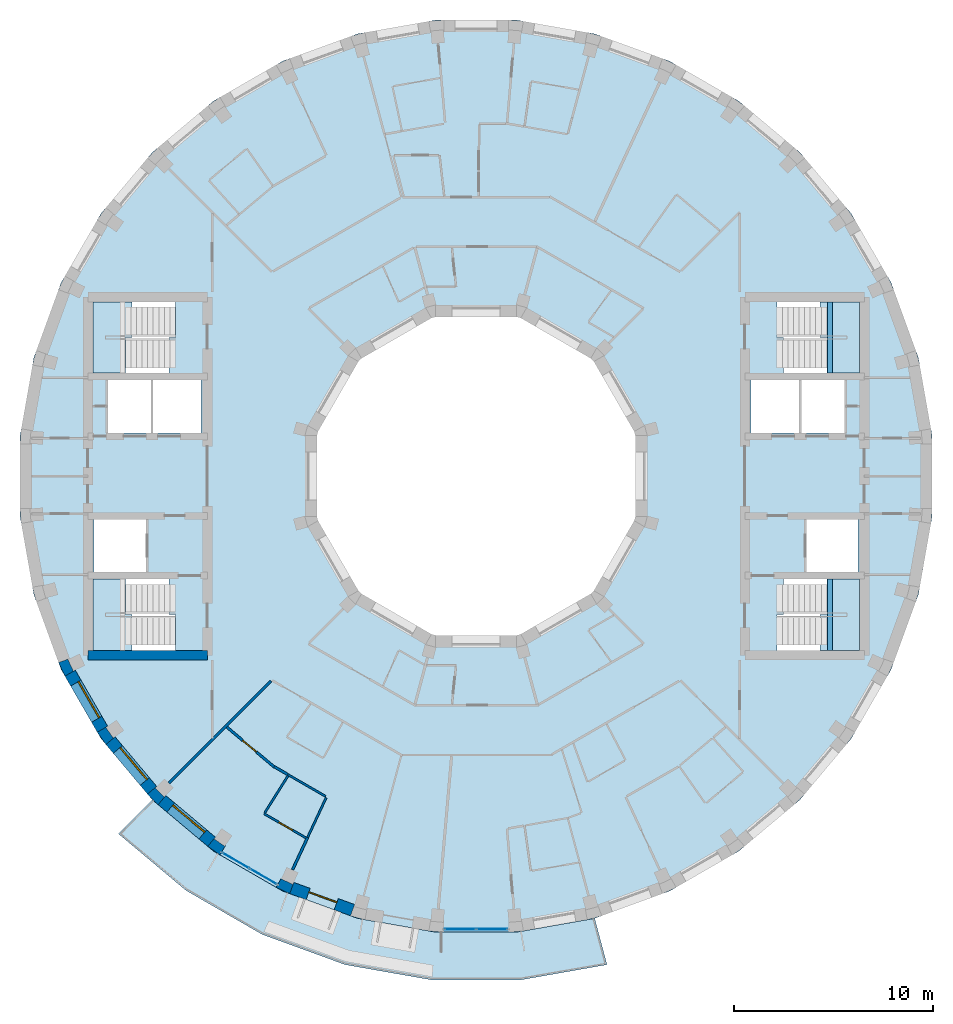
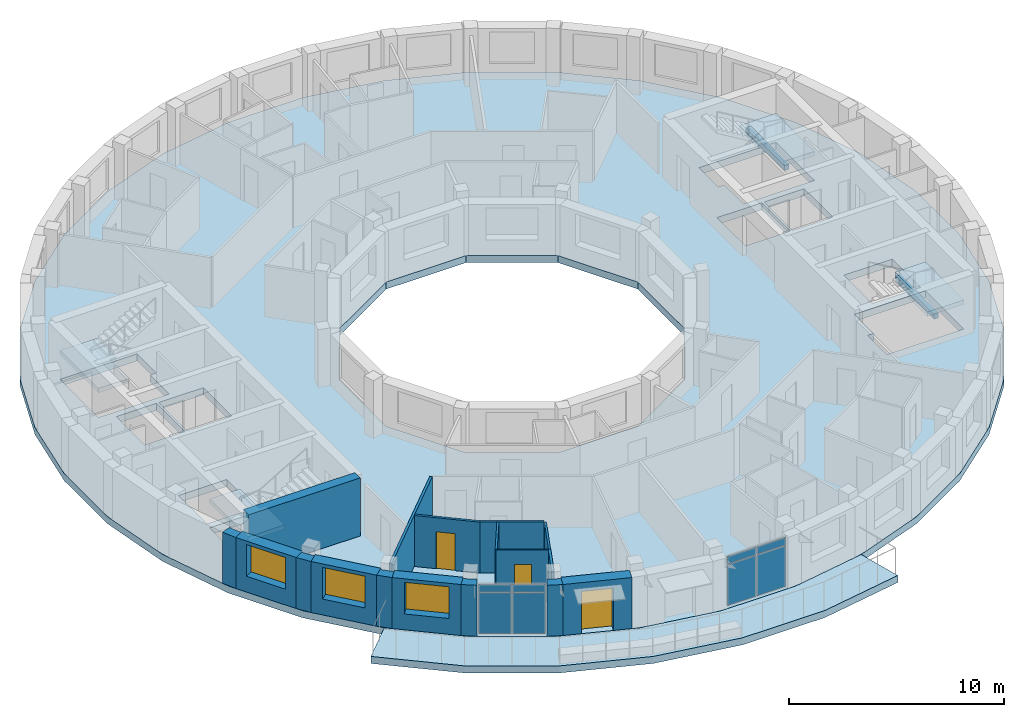
# One storey, part 3 of 12: 18 walls, 8 plates, 6 slabs, 3 doors, 3 windows, 2 beams, 6 openings, 6 elements without a shape of their own.
"""IFC4 building model written with IfcOpenShell, lengths in metres."""

from ifc_helpers import new_model, si_unit, direction, frame, frame_2d, origin, origin_2d, place, context, subcontext, project, spatial, polyline, rectangle, outline, extrude, material, layer, layer_set, material_profile, profile_set, type_object, element, fill, aggregate, save


model = new_model("IFC4")

# Units and contexts
model_context = context("Model", 3, precision=1e-05, world=origin(), true_north=direction((0.0, 1.0)))
body_context = subcontext(model_context, "Body", "Model", "MODEL_VIEW")
ifc_project = project(units=[si_unit("LENGTHUNIT", "METRE"), si_unit("AREAUNIT", "SQUARE_METRE"), si_unit("VOLUMEUNIT", "CUBIC_METRE"), si_unit("PLANEANGLEUNIT", "RADIAN"), si_unit("MASSUNIT", "GRAM", prefix="KILO")], contexts=[model_context])

# Site, building, storey
site_placement = place(None, origin())
site = spatial("IfcSite", under=ifc_project, at=site_placement, CompositionType="ELEMENT")
building_placement = place(site_placement, origin())
building = spatial("IfcBuilding", under=site, at=building_placement, Name="Saqina Gate Tower", CompositionType="ELEMENT")
storey_placement = place(building_placement, frame((0.0, 0.0, 272.60009765625)))
storey = spatial("IfcBuildingStorey", under=building, at=storey_placement, Name="L78", CompositionType="ELEMENT", Elevation=272.60009765625)

# Beams
ifc_material_1 = material(Name="Concrete C40/50", Category="concrete")
ifc_material_profile = material_profile(ifc_material_1, rectangle(XDim=0.25, YDim=0.300048828125, at=origin_2d()), Name="STAIR LANDING BEAM")
ifc_profile_set = profile_set([ifc_material_profile], Name="Concrete C40/50")
beam_type = type_object("IfcBeamType", Name="STAIR LANDING BEAM", PredefinedType="BEAM", material=ifc_profile_set)
for number, where, z_axis, x_axis, name in (
    (1, (17.77001953125, 5.175048828125, 1.25), (0.0, 1.0, 0.0), (-1.0, 0.0, 0.0), "EXIT STAIR 1 LANDING BEAM"),
    (2, (17.77001953125, -8.75, 1.25), (0.0, 1.0, 0.0), (-1.0, 0.0, 0.0), "EXIT STAIR 2 LANDING BEAM"),
):
    element("IfcBeam", number, at=place(storey_placement, frame(where, z_axis=z_axis, x_axis=x_axis)), inside=storey, type_object=beam_type, Name=name, PredefinedType="BEAM", context=body_context, shape_type="SweptSolid", body=[
        extrude(rectangle(XDim=0.25, YDim=0.300048828125, at=origin_2d()), origin(), (0.0, 0.0, 1.0), 3.574951171875),
    ])

# Curtain wall, plates
ifc_material_2 = material(Name="Aluminium glazing", Category="aluminium")
ifc_layer_1 = layer(ifc_material_2, 0.159912109375)
ifc_layer_set_1 = layer_set([ifc_layer_1], Name="CWT-4")
curtain_wall_type = type_object("IfcCurtainWallType", Name="CWT-4", PredefinedType="NOTDEFINED", material=ifc_layer_set_1)
curtain_wall_1_placement = place(storey_placement, origin())
curtain_wall_1 = element("IfcCurtainWall", 3, at=curtain_wall_1_placement, inside=storey, type_object=curtain_wall_type, Name="Terrace lounge glazing facet 24", PredefinedType="NOTDEFINED")
ifc_material_3 = material(Name="Glass", Category="glass")
ifc_layer_2 = layer(ifc_material_3, 0.028076171875)
ifc_layer_set_2 = layer_set([ifc_layer_2], Name="CWT-4P")
plate_type = type_object("IfcPlateType", Name="CWT-4P", PredefinedType="CURTAIN_PANEL", material=ifc_layer_set_2)
plate_1_placement = place(storey_placement, frame((-12.072265625, -19.31396484375, 0.059814453125), z_axis=(0.0, 0.0, 1.0), x_axis=(0.8660355365, -0.499982449212, 0.0)))
plate_1 = element("IfcPlate", 4, at=plate_1_placement, type_object=plate_type, Name="CW4-24 panel 1.1", PredefinedType="CURTAIN_PANEL", context=body_context, shape_type="SweptSolid", body=[
    extrude(rectangle(XDim=1.535888671875, YDim=0.028076171875, at=origin_2d()), origin(), (0.0, 0.0, 1.0), 2.31005859375),
])
plate_2_placement = place(storey_placement, frame((-12.072265625, -19.31396484375, 2.43017578125), z_axis=(0.0, 0.0, 1.0), x_axis=(0.8660355365, -0.499982449212, 0.0)))
plate_2 = element("IfcPlate", 5, at=plate_2_placement, type_object=plate_type, Name="CW4-24 panel 1.2", PredefinedType="CURTAIN_PANEL", context=body_context, shape_type="SweptSolid", body=[
    extrude(rectangle(XDim=1.535888671875, YDim=0.028076171875, at=origin_2d()), origin(), (0.0, 0.0, 1.0), 0.409912109375),
])
plate_3_placement = place(storey_placement, frame((-10.690185546875, -20.11181640625, 0.059814453125), z_axis=(0.0, 0.0, 1.0), x_axis=(0.8660355365, -0.499982449212, 0.0)))
plate_3 = element("IfcPlate", 6, at=plate_3_placement, type_object=plate_type, Name="CW4-24 panel 2.1", PredefinedType="CURTAIN_PANEL", context=body_context, shape_type="SweptSolid", body=[
    extrude(rectangle(XDim=1.535888671875, YDim=0.028076171875, at=origin_2d()), origin(), (0.0, 0.0, 1.0), 2.31005859375),
])
plate_4_placement = place(storey_placement, frame((-10.690185546875, -20.11181640625, 2.43017578125), z_axis=(0.0, 0.0, 1.0), x_axis=(0.8660355365, -0.499982449212, 0.0)))
plate_4 = element("IfcPlate", 7, at=plate_4_placement, type_object=plate_type, Name="CW4-24 panel 2.2", PredefinedType="CURTAIN_PANEL", context=body_context, shape_type="SweptSolid", body=[
    extrude(rectangle(XDim=1.535888671875, YDim=0.028076171875, at=origin_2d()), origin(), (0.0, 0.0, 1.0), 0.409912109375),
])
aggregate(curtain_wall_1, [plate_1, plate_2, plate_3, plate_4])

curtain_wall_2_placement = place(storey_placement, origin())
curtain_wall_2 = element("IfcCurtainWall", 8, at=curtain_wall_2_placement, inside=storey, type_object=curtain_wall_type, Name="Terrace lounge glazing facet 27", PredefinedType="NOTDEFINED")
plate_5_placement = place(storey_placement, frame((-0.7978515625, -22.762451171875, 0.059814453125), z_axis=(0.0, 0.0, 1.0), x_axis=(1.0, 0.0, 0.0)))
plate_5 = element("IfcPlate", 9, at=plate_5_placement, type_object=plate_type, Name="CW4-27 panel 1.1", PredefinedType="CURTAIN_PANEL", context=body_context, shape_type="SweptSolid", body=[
    extrude(rectangle(XDim=1.535888671875, YDim=0.028076171875, at=origin_2d()), origin(), (0.0, 0.0, 1.0), 2.31005859375),
])
plate_6_placement = place(storey_placement, frame((-0.7978515625, -22.762451171875, 2.43017578125), z_axis=(0.0, 0.0, 1.0), x_axis=(1.0, 0.0, 0.0)))
plate_6 = element("IfcPlate", 10, at=plate_6_placement, type_object=plate_type, Name="CW4-27 panel 1.2", PredefinedType="CURTAIN_PANEL", context=body_context, shape_type="SweptSolid", body=[
    extrude(rectangle(XDim=1.535888671875, YDim=0.028076171875, at=origin_2d()), origin(), (0.0, 0.0, 1.0), 0.409912109375),
])
plate_7_placement = place(storey_placement, frame((0.7978515625, -22.762451171875, 0.059814453125), z_axis=(0.0, 0.0, 1.0), x_axis=(1.0, 0.0, 0.0)))
plate_7 = element("IfcPlate", 11, at=plate_7_placement, type_object=plate_type, Name="CW4-27 panel 2.1", PredefinedType="CURTAIN_PANEL", context=body_context, shape_type="SweptSolid", body=[
    extrude(rectangle(XDim=1.535888671875, YDim=0.028076171875, at=origin_2d()), origin(), (0.0, 0.0, 1.0), 2.31005859375),
])
plate_8_placement = place(storey_placement, frame((0.7978515625, -22.762451171875, 2.43017578125), z_axis=(0.0, 0.0, 1.0), x_axis=(1.0, 0.0, 0.0)))
plate_8 = element("IfcPlate", 12, at=plate_8_placement, type_object=plate_type, Name="CW4-27 panel 2.2", PredefinedType="CURTAIN_PANEL", context=body_context, shape_type="SweptSolid", body=[
    extrude(rectangle(XDim=1.535888671875, YDim=0.028076171875, at=origin_2d()), origin(), (0.0, 0.0, 1.0), 0.409912109375),
])
aggregate(curtain_wall_2, [plate_5, plate_6, plate_7, plate_8])

# Stair, slab
ifc_material_4 = material(Name="Concrete C40/50", Category="concrete")
stair_type = type_object("IfcStairType", Name="EXIT STAIR", PredefinedType="HALF_TURN_STAIR", material=ifc_material_4)
stair_1_placement = place(storey_placement, origin())
stair_1 = element("IfcStair", 13, at=stair_1_placement, inside=storey, type_object=stair_type, Name="EXIT STAIR 1", PredefinedType="HALF_TURN_STAIR")
ifc_material_5 = material(Name="Concrete C40/50", Category="concrete")
ifc_layer_3 = layer(ifc_material_5, 0.25)
ifc_layer_set_3 = layer_set([ifc_layer_3], Name="Concrete C40/50")
slab_type_1 = type_object("IfcSlabType", Name="EXIT STAIR LANDING", PredefinedType="LANDING", material=ifc_layer_set_3)
slab_1_placement = place(storey_placement, frame((0.0, 0.0, 1.39990234375)))
slab_1 = element("IfcSlab", 14, at=slab_1_placement, type_object=slab_type_1, Name="EXIT STAIR 1 LANDING 1", PredefinedType="LANDING", context=body_context, shape_type="SweptSolid", body=[
    extrude(outline(polyline([(19.25, 8.75), (19.25, 5.175048828125), (17.614990234375, 5.175048828125), (17.614990234375, 6.96240234375), (17.284423828125, 6.96240234375), (17.284423828125, 8.75), (17.614990234375, 8.75), (17.6201171875, 8.75), (19.25, 8.75)])), origin(), (0.0, 0.0, 1.0), 0.25),
])
aggregate(stair_1, [slab_1])

stair_2_placement = place(storey_placement, origin())
stair_2 = element("IfcStair", 15, at=stair_2_placement, inside=storey, type_object=stair_type, Name="EXIT STAIR 2", PredefinedType="HALF_TURN_STAIR")
slab_2_placement = place(storey_placement, frame((0.0, 0.0, 1.39990234375)))
slab_2 = element("IfcSlab", 16, at=slab_2_placement, type_object=slab_type_1, Name="EXIT STAIR 2 LANDING 1", PredefinedType="LANDING", context=body_context, shape_type="SweptSolid", body=[
    extrude(outline(polyline([(17.284423828125, -8.75), (17.284423828125, -6.96240234375), (17.614990234375, -6.96240234375), (17.614990234375, -5.175048828125), (19.25, -5.175048828125), (19.25, -8.75), (17.6201171875, -8.75), (17.614990234375, -8.75), (17.284423828125, -8.75)])), origin(), (0.0, 0.0, 1.0), 0.25),
])
aggregate(stair_2, [slab_2])

stair_3_placement = place(storey_placement, origin())
stair_3 = element("IfcStair", 17, at=stair_3_placement, inside=storey, type_object=stair_type, Name="EXIT STAIR 3", PredefinedType="HALF_TURN_STAIR")
slab_3_placement = place(storey_placement, frame((0.0, 0.0, 1.39990234375)))
slab_3 = element("IfcSlab", 18, at=slab_3_placement, type_object=slab_type_1, Name="EXIT STAIR 3 LANDING 1", PredefinedType="LANDING", context=body_context, shape_type="SweptSolid", body=[
    extrude(outline(polyline([(-17.614990234375, 5.175048828125), (-19.25, 5.175048828125), (-19.25, 8.75), (-17.6201171875, 8.75), (-17.614990234375, 8.75), (-17.284423828125, 8.75), (-17.284423828125, 6.96240234375), (-17.614990234375, 6.96240234375), (-17.614990234375, 5.175048828125)])), origin(), (0.0, 0.0, 1.0), 0.25),
])
aggregate(stair_3, [slab_3])

stair_4_placement = place(storey_placement, origin())
stair_4 = element("IfcStair", 19, at=stair_4_placement, inside=storey, type_object=stair_type, Name="EXIT STAIR 4", PredefinedType="HALF_TURN_STAIR")
slab_4_placement = place(storey_placement, frame((0.0, 0.0, 1.39990234375)))
slab_4 = element("IfcSlab", 20, at=slab_4_placement, type_object=slab_type_1, Name="EXIT STAIR 4 LANDING 1", PredefinedType="LANDING", context=body_context, shape_type="SweptSolid", body=[
    extrude(outline(polyline([(-17.284423828125, -6.96240234375), (-17.284423828125, -8.75), (-17.614990234375, -8.75), (-17.6201171875, -8.75), (-19.25, -8.75), (-19.25, -5.175048828125), (-17.614990234375, -5.175048828125), (-17.614990234375, -6.96240234375), (-17.284423828125, -6.96240234375)])), origin(), (0.0, 0.0, 1.0), 0.25),
])
aggregate(stair_4, [slab_4])

# Slabs
ifc_material_6 = material(Name="Concrete C40/50", Category="concrete")
ifc_layer_4 = layer(ifc_material_6, 0.39990234375)
ifc_layer_set_4 = layer_set([ifc_layer_4], Name="Concrete C40/50")
slab_type_2 = type_object("IfcSlabType", Name="STR-POST-TENSIONED FLAT PLATE FLOOR-400", PredefinedType="FLOOR", material=ifc_layer_set_4)
slab_5_placement = place(storey_placement, frame((0.0, 0.0, -0.400146484375)))
element("IfcSlab", 21, at=slab_5_placement, inside=storey, type_object=slab_type_2, Name="L78-SLB01", PredefinedType="FLOOR", context=body_context, shape_type="SweptSolid", body=[
    extrude(outline(polyline([(22.21630859375, -5.952880859375), (22.91259765625, -2.004638671875), (22.91259765625, 2.004638671875), (22.21630859375, 5.952880859375), (20.844970703125, 9.72021484375), (18.840576171875, 13.192138671875), (16.263427734375, 16.263427734375), (13.192138671875, 18.840576171875), (9.72021484375, 20.844970703125), (5.952880859375, 22.21630859375), (2.004638671875, 22.91259765625), (-2.004638671875, 22.91259765625), (-5.952880859375, 22.21630859375), (-9.72021484375, 20.844970703125), (-13.192138671875, 18.840576171875), (-16.263427734375, 16.263427734375), (-18.840576171875, 13.192138671875), (-20.844970703125, 9.72021484375), (-22.21630859375, 5.952880859375), (-22.91259765625, 2.004638671875), (-22.91259765625, -2.004638671875), (-22.21630859375, -5.952880859375), (-20.844970703125, -9.72021484375), (-18.840576171875, -13.192138671875), (-16.263427734375, -16.263427734375), (-13.192138671875, -18.840576171875), (-9.72021484375, -20.844970703125), (-5.952880859375, -22.21630859375), (-2.004638671875, -22.91259765625), (2.004638671875, -22.91259765625), (5.952880859375, -22.21630859375), (9.72021484375, -20.844970703125), (13.192138671875, -18.840576171875), (16.263427734375, -16.263427734375), (18.840576171875, -13.192138671875), (20.844970703125, -9.72021484375), (22.21630859375, -5.952880859375)]), holes=[polyline([(2.1435546875, 8.0), (5.8564453125, 5.8564453125), (8.0, 2.1435546875), (8.0, -2.1435546875), (5.8564453125, -5.8564453125), (2.1435546875, -8.0), (-2.1435546875, -8.0), (-5.8564453125, -5.8564453125), (-8.0, -2.1435546875), (-8.0, 2.1435546875), (-5.8564453125, 5.8564453125), (-2.1435546875, 8.0), (2.1435546875, 8.0)]), polyline([(-15.10498046875, -8.75), (-19.25, -8.75), (-19.25, -6.96240234375), (-19.25, -5.175048828125), (-15.435546875, -5.175048828125), (-15.435546875, -6.96240234375), (-15.10498046875, -6.96240234375), (-15.10498046875, -8.75)]), polyline([(-16.590087890625, -2.175048828125), (-16.590087890625, -4.824951171875), (-19.18994140625, -4.824951171875), (-19.18994140625, -2.175048828125), (-16.590087890625, -2.175048828125)]), polyline([(-16.340087890625, 4.824951171875), (-16.340087890625, 2.175048828125), (-18.5, 2.175048828125), (-18.5, 4.824951171875), (-16.340087890625, 4.824951171875)]), polyline([(-13.81005859375, 4.824951171875), (-13.81005859375, 2.175048828125), (-16.219970703125, 2.175048828125), (-16.219970703125, 4.824951171875), (-13.81005859375, 4.824951171875)]), polyline([(-19.25, 6.96240234375), (-19.25, 8.75), (-15.10498046875, 8.75), (-15.10498046875, 6.96240234375), (-15.435546875, 6.96240234375), (-15.435546875, 5.175048828125), (-19.25, 5.175048828125), (-19.25, 6.96240234375)]), polyline([(15.10498046875, -8.75), (15.10498046875, -6.96240234375), (15.435546875, -6.96240234375), (15.435546875, -5.175048828125), (19.25, -5.175048828125), (19.25, -6.96240234375), (19.25, -8.75), (15.10498046875, -8.75)]), polyline([(19.18994140625, -2.175048828125), (19.18994140625, -4.824951171875), (16.590087890625, -4.824951171875), (16.590087890625, -2.175048828125), (19.18994140625, -2.175048828125)]), polyline([(16.219970703125, 4.824951171875), (16.219970703125, 2.175048828125), (13.81005859375, 2.175048828125), (13.81005859375, 4.824951171875), (16.219970703125, 4.824951171875)]), polyline([(18.5, 4.824951171875), (18.5, 2.175048828125), (16.340087890625, 2.175048828125), (16.340087890625, 4.824951171875), (18.5, 4.824951171875)]), polyline([(15.435546875, 6.96240234375), (15.10498046875, 6.96240234375), (15.10498046875, 8.75), (19.25, 8.75), (19.25, 6.96240234375), (19.25, 5.175048828125), (15.435546875, 5.175048828125), (15.435546875, 6.96240234375)])]), origin(), (0.0, 0.0, 1.0), 0.400146484375),
])
ifc_material_7 = material(Name="Concrete C40/50", Category="concrete")
ifc_layer_5 = layer(ifc_material_7, 0.39990234375)
ifc_layer_set_5 = layer_set([ifc_layer_5], Name="Concrete C40/50")
slab_type_3 = type_object("IfcSlabType", Name="STR-POST-TENSIONED FLAT PLATE TERRACE-400", PredefinedType="FLOOR", material=ifc_layer_set_5)
slab_6_placement = place(storey_placement, frame((0.0, 0.0, -0.400146484375)))
element("IfcSlab", 22, at=slab_6_placement, inside=storey, type_object=slab_type_3, Name="L78-TRS01", PredefinedType="FLOOR", context=body_context, shape_type="SweptSolid", body=[
    extrude(outline(polyline([(-16.263427734375, -16.263427734375), (-13.192138671875, -18.840576171875), (-9.72021484375, -20.844970703125), (-5.952880859375, -22.21630859375), (-2.004638671875, -22.91259765625), (2.004638671875, -22.91259765625), (5.952880859375, -22.21630859375), (6.576416015625, -24.54345703125), (2.214599609375, -25.3125), (-2.214599609375, -25.3125), (-6.576416015625, -24.54345703125), (-10.73828125, -23.028564453125), (-14.57421875, -20.81396484375), (-17.967041015625, -17.967041015625), (-16.263427734375, -16.263427734375)])), origin(), (0.0, 0.0, 1.0), 0.400146484375),
])

# Walls
ifc_material_8 = material(Name="Brick masonry (buff)", Category="masonry")
wall_type_1 = type_object("IfcWallType", Name="BRICK PIER COPING BUFF", PredefinedType="SOLIDWALL", material=ifc_material_8)
wall_1_placement = place(storey_placement, origin())
element("IfcWall", 23, at=wall_1_placement, inside=storey, type_object=wall_type_1, Name="Pier cap L78 column 21", PredefinedType="SOLIDWALL", context=body_context, shape_type="SweptSolid", body=[
    extrude(outline(polyline([(-20.974609375, -9.3642578125), (-20.65576171875, -10.048095703125), (-20.135986328125, -9.748291015625), (-20.23193359375, -9.79296875), (-20.506591796875, -9.203857421875), (-20.410888671875, -9.1591796875), (-20.974609375, -9.3642578125)])), origin(), (0.0, 0.0, 1.0), 2.89990234375),
])
wall_2_placement = place(storey_placement, origin())
element("IfcWall", 24, at=wall_2_placement, inside=storey, type_object=wall_type_1, Name="Pier cap L78 column 22", PredefinedType="SOLIDWALL", context=body_context, shape_type="SweptSolid", body=[
    extrude(outline(polyline([(-19.02978515625, -12.8642578125), (-18.59716796875, -13.482421875), (-18.137451171875, -13.0966796875), (-18.22412109375, -13.157470703125), (-18.596923828125, -12.625), (-18.51025390625, -12.564208984375), (-19.02978515625, -12.8642578125)])), origin(), (0.0, 0.0, 1.0), 2.89990234375),
])
wall_3_placement = place(storey_placement, origin())
element("IfcWall", 25, at=wall_3_placement, inside=storey, type_object=wall_type_1, Name="Pier cap L78 column 23", PredefinedType="SOLIDWALL", context=body_context, shape_type="SweptSolid", body=[
    extrude(outline(polyline([(-15.973388671875, -16.5068359375), (-15.587646484375, -16.04736328125), (-15.662353515625, -16.1220703125), (-16.1220703125, -15.662353515625), (-16.04736328125, -15.587646484375), (-16.5068359375, -15.973388671875), (-15.973388671875, -16.5068359375)])), origin(), (0.0, 0.0, 1.0), 2.89990234375),
])
wall_4_placement = place(storey_placement, origin())
element("IfcWall", 26, at=wall_4_placement, inside=storey, type_object=wall_type_1, Name="Pier cap L78 column 24", PredefinedType="SOLIDWALL", context=body_context, shape_type="SweptSolid", body=[
    extrude(outline(polyline([(-12.8642578125, -19.02978515625), (-12.564208984375, -18.51025390625), (-12.625, -18.596923828125), (-13.157470703125, -18.22412109375), (-13.0966796875, -18.137451171875), (-13.482421875, -18.59716796875), (-12.8642578125, -19.02978515625)])), origin(), (0.0, 0.0, 1.0), 2.89990234375),
])
wall_5_placement = place(storey_placement, origin())
element("IfcWall", 27, at=wall_5_placement, inside=storey, type_object=wall_type_1, Name="Pier cap L78 column 25", PredefinedType="SOLIDWALL", context=body_context, shape_type="SweptSolid", body=[
    extrude(outline(polyline([(-10.048095703125, -20.65576171875), (-9.3642578125, -20.974609375), (-9.1591796875, -20.410888671875), (-9.203857421875, -20.506591796875), (-9.79296875, -20.23193359375), (-9.748291015625, -20.135986328125), (-10.048095703125, -20.65576171875)])), origin(), (0.0, 0.0, 1.0), 2.89990234375),
])

# Wall, opening, window
ifc_material_9 = material(Name="Brick masonry (buff)", Category="masonry")
ifc_layer_6 = layer(ifc_material_9, 0.60009765625)
ifc_layer_set_6 = layer_set([ifc_layer_6], Name="FW-BRICK-BUFF")
wall_type_2 = type_object("IfcWallType", Name="FW-BRICK-BUFF", PredefinedType="SOLIDWALL", material=ifc_layer_set_6)
wall_6_placement = place(storey_placement, frame((-20.39599609375, -9.898193359375, 0.0), z_axis=(0.0, 0.0, 1.0), x_axis=(0.500014901547, -0.866016800201, 0.0)))
wall_6 = element("IfcWall", 28, at=wall_6_placement, inside=storey, type_object=wall_type_2, Name="Facade wall L78 facet 21", PredefinedType="SOLIDWALL", context=body_context, shape_type="SweptSolid", body=[
    extrude(rectangle(XDim=3.251953125, YDim=0.60009765625, at=frame_2d((1.6259765625, 0.0))), origin(), (0.0, 0.0, 1.0), 2.89990234375),
])
opening_1_placement = place(wall_6_placement, frame((0.57568359375, 0.0, 0.89990234375)))
opening_1 = element("IfcOpeningElement", 29, at=opening_1_placement, cuts=wall_6, Name="Opening G23-W14", PredefinedType="OPENING", context=body_context, shape_type="SweptSolid", body=[
    extrude(rectangle(XDim=2.10009765625, YDim=1.800048828125, at=frame_2d((1.050048828125, 0.89990234375))), frame((0.0, 0.31201171875, 0.0), z_axis=(0.0, -1.0, 0.0), x_axis=(1.0, 0.0, 0.0)), (0.0, 0.0, 1.0), 0.6240234375),
])
ifc_material_10 = material(Name="Aluminium glazing", Category="aluminium")
window_type = type_object("IfcWindowType", Name="WN-D", PartitioningType="SINGLE_PANEL", PredefinedType="WINDOW", material=ifc_material_10)
window_1_placement = place(opening_1_placement, origin())
window_1 = element("IfcWindow", 30, at=window_1_placement, inside=storey, type_object=window_type, Name="Window L78 facet 21", OverallHeight=1.800048828125, OverallWidth=2.10009765625, PartitioningType="SINGLE_PANEL", PredefinedType="WINDOW", context=body_context, shape_type="SweptSolid", body=[
    extrude(rectangle(XDim=2.10009765625, YDim=1.800048828125, at=frame_2d((1.050048828125, 0.89990234375))), frame((0.0, 0.179931640625, 0.0), z_axis=(0.0, -1.0, 0.0), x_axis=(1.0, 0.0, 0.0)), (0.0, 0.0, 1.0), 0.06005859375),
])
fill(opening_1, window_1)

wall_7_placement = place(storey_placement, frame((-18.3671875, -13.28955078125, 0.0), z_axis=(0.0, 0.0, 1.0), x_axis=(0.64277291405, -0.766056773982, 0.0)))
wall_7 = element("IfcWall", 31, at=wall_7_placement, inside=storey, type_object=wall_type_2, Name="Facade wall L78 facet 22", PredefinedType="SOLIDWALL", context=body_context, shape_type="SweptSolid", body=[
    extrude(rectangle(XDim=3.251708984375, YDim=0.60009765625, at=frame_2d((1.6259765625, 0.0))), origin(), (0.0, 0.0, 1.0), 2.89990234375),
])
opening_2_placement = place(wall_7_placement, frame((0.57568359375, 0.0, 0.89990234375)))
opening_2 = element("IfcOpeningElement", 32, at=opening_2_placement, cuts=wall_7, Name="Opening G23-W15", PredefinedType="OPENING", context=body_context, shape_type="SweptSolid", body=[
    extrude(rectangle(XDim=2.10009765625, YDim=1.800048828125, at=frame_2d((1.050048828125, 0.89990234375))), frame((0.0, 0.31201171875, 0.0), z_axis=(0.0, -1.0, 0.0), x_axis=(1.0, 0.0, 0.0)), (0.0, 0.0, 1.0), 0.6240234375),
])
window_2_placement = place(opening_2_placement, origin())
window_2 = element("IfcWindow", 33, at=window_2_placement, inside=storey, type_object=window_type, Name="Window L78 facet 22", OverallHeight=1.800048828125, OverallWidth=2.10009765625, PartitioningType="SINGLE_PANEL", PredefinedType="WINDOW", context=body_context, shape_type="SweptSolid", body=[
    extrude(rectangle(XDim=2.10009765625, YDim=1.800048828125, at=frame_2d((1.050048828125, 0.89990234375))), frame((0.0, 0.179931640625, 0.0), z_axis=(0.0, -1.0, 0.0), x_axis=(1.0, 0.0, 0.0)), (0.0, 0.0, 1.0), 0.06005859375),
])
fill(opening_2, window_2)

wall_8_placement = place(storey_placement, frame((-15.780517578125, -16.277099609375, 0.0), z_axis=(0.0, 0.0, 1.0), x_axis=(0.766056773982, -0.64277291405, 0.0)))
wall_8 = element("IfcWall", 34, at=wall_8_placement, inside=storey, type_object=wall_type_2, Name="Facade wall L78 facet 23", PredefinedType="SOLIDWALL", context=body_context, shape_type="SweptSolid", body=[
    extrude(rectangle(XDim=3.251708984375, YDim=0.60009765625, at=frame_2d((1.6259765625, 0.0))), origin(), (0.0, 0.0, 1.0), 2.89990234375),
])
opening_3_placement = place(wall_8_placement, frame((0.57568359375, 0.0, 0.89990234375)))
opening_3 = element("IfcOpeningElement", 35, at=opening_3_placement, cuts=wall_8, Name="Opening G23-W16", PredefinedType="OPENING", context=body_context, shape_type="SweptSolid", body=[
    extrude(rectangle(XDim=2.10009765625, YDim=1.800048828125, at=frame_2d((1.050048828125, 0.89990234375))), frame((0.0, 0.31201171875, 0.0), z_axis=(0.0, -1.0, 0.0), x_axis=(1.0, 0.0, 0.0)), (0.0, 0.0, 1.0), 0.6240234375),
])
window_3_placement = place(opening_3_placement, origin())
window_3 = element("IfcWindow", 36, at=window_3_placement, inside=storey, type_object=window_type, Name="Window L78 facet 23", OverallHeight=1.800048828125, OverallWidth=2.10009765625, PartitioningType="SINGLE_PANEL", PredefinedType="WINDOW", context=body_context, shape_type="SweptSolid", body=[
    extrude(rectangle(XDim=2.10009765625, YDim=1.800048828125, at=frame_2d((1.050048828125, 0.89990234375))), frame((0.0, 0.179931640625, 0.0), z_axis=(0.0, -1.0, 0.0), x_axis=(1.0, 0.0, 0.0)), (0.0, 0.0, 1.0), 0.06005859375),
])
fill(opening_3, window_3)

# Wall, opening, door
wall_9_placement = place(storey_placement, frame((-9.26171875, -20.692626953125, 0.0), z_axis=(0.0, 0.0, 1.0), x_axis=(0.939679383794, -0.342056509473, 0.0)))
wall_9 = element("IfcWall", 37, at=wall_9_placement, inside=storey, type_object=wall_type_2, Name="Facade wall L78 facet 25", PredefinedType="SOLIDWALL", context=body_context, shape_type="SweptSolid", body=[
    extrude(rectangle(XDim=3.251708984375, YDim=0.60009765625, at=frame_2d((1.6259765625, 0.0))), origin(), (0.0, 0.0, 1.0), 2.89990234375),
])
opening_4_placement = place(wall_9_placement, frame((0.875732421875, 0.0, 0.0)))
opening_4 = element("IfcOpeningElement", 38, at=opening_4_placement, cuts=wall_9, Name="Opening G23-D80", PredefinedType="OPENING", context=body_context, shape_type="SweptSolid", body=[
    extrude(rectangle(XDim=1.5, YDim=2.39990234375, at=frame_2d((0.75, 1.199951171875))), frame((0.0, 0.31201171875, 0.0), z_axis=(0.0, -1.0, 0.0), x_axis=(1.0, 0.0, 0.0)), (0.0, 0.0, 1.0), 0.6240234375),
])
ifc_material_11 = material(Name="Aluminium glazing", Category="aluminium")
door_type_1 = type_object("IfcDoorType", Name="GD-D", OperationType="DOUBLE_DOOR_SINGLE_SWING", PredefinedType="DOOR", material=ifc_material_11)
door_1_placement = place(opening_4_placement, frame((1.5, 0.0, 0.0), z_axis=(0.0, 0.0, 1.0), x_axis=(-1.0, 0.0, 0.0)))
door_1 = element("IfcDoor", 39, at=door_1_placement, inside=storey, type_object=door_type_1, Name="Terrace door L78 facet 25", OperationType="DOUBLE_DOOR_SINGLE_SWING", OverallHeight=2.39990234375, OverallWidth=1.5, PredefinedType="DOOR", context=body_context, shape_type="SweptSolid", body=[
    extrude(rectangle(XDim=1.5, YDim=2.39990234375, at=frame_2d((0.75, 1.199951171875))), frame((0.0, -0.0751953125, 0.0), z_axis=(0.0, -1.0, 0.0), x_axis=(1.0, 0.0, 0.0)), (0.0, 0.0, 1.0), 0.050048828125),
])
fill(opening_4, door_1)

ifc_material_12 = material(Name="Gypsum board on steel studs, 100 mm", Category="steel")
ifc_layer_7 = layer(ifc_material_12, 0.10009765625)
ifc_layer_set_7 = layer_set([ifc_layer_7], Name="PARTITION 100")
wall_type_3 = type_object("IfcWallType", Name="PARTITION 100", PredefinedType="PARTITIONING", material=ifc_layer_set_7)
wall_10_placement = place(storey_placement, frame((-10.64697265625, -16.9619140625, 0.0), z_axis=(0.0, 0.0, 1.0), x_axis=(0.866072215893, -0.499918910283, 0.0)))
wall_10 = element("IfcWall", 40, at=wall_10_placement, inside=storey, type_object=wall_type_3, Name="PARTITION PW3-18", PredefinedType="PARTITIONING", context=body_context, shape_type="SweptSolid", body=[
    extrude(rectangle(XDim=2.4384765625, YDim=0.10009765625, at=frame_2d((1.21923828125, 0.0))), origin(), (0.0, 0.0, 1.0), 2.89990234375),
])
opening_5_placement = place(wall_10_placement, frame((0.845703125, 0.0, 0.0)))
opening_5 = element("IfcOpeningElement", 41, at=opening_5_placement, cuts=wall_10, Name="Opening G23-D26", PredefinedType="OPENING", context=body_context, shape_type="SweptSolid", body=[
    extrude(rectangle(XDim=0.800048828125, YDim=2.10009765625, at=frame_2d((0.39990234375, 1.050048828125))), frame((0.0, 0.06201171875, 0.0), z_axis=(0.0, -1.0, 0.0), x_axis=(1.0, 0.0, 0.0)), (0.0, 0.0, 1.0), 0.1240234375),
])
ifc_material_13 = material(Name="Timber door leaf, 800 mm", Category="wood")
door_type_2 = type_object("IfcDoorType", Name="DOOR 800 TIMBER", OperationType="SINGLE_SWING_LEFT", PredefinedType="DOOR", material=ifc_material_13)
door_2_placement = place(opening_5_placement, frame((0.800048828125, 0.0, 0.0), z_axis=(0.0, 0.0, 1.0), x_axis=(-1.0, 0.0, 0.0)))
door_2 = element("IfcDoor", 42, at=door_2_placement, inside=storey, type_object=door_type_2, Name="DOOR G23-D26", OperationType="SINGLE_SWING_LEFT", OverallHeight=2.10009765625, OverallWidth=0.800048828125, PredefinedType="DOOR", context=body_context, shape_type="SweptSolid", body=[
    extrude(rectangle(XDim=0.800048828125, YDim=2.10009765625, at=frame_2d((0.39990234375, 1.050048828125))), frame((0.0, 0.02490234375, 0.0), z_axis=(0.0, -1.0, 0.0), x_axis=(1.0, 0.0, 0.0)), (0.0, 0.0, 1.0), 0.050048828125),
])
fill(opening_5, door_2)

# Walls
wall_11_placement = place(storey_placement, frame((-9.46728515625, -14.986328125, 0.0), z_axis=(0.0, 0.0, 1.0), x_axis=(0.866006764117, -0.500032283461, 0.0)))
element("IfcWall", 43, at=wall_11_placement, inside=storey, type_object=wall_type_3, Name="PARTITION PW3-19", PredefinedType="PARTITIONING", context=body_context, shape_type="SweptSolid", body=[
    extrude(rectangle(XDim=2.205322265625, YDim=0.10009765625, at=frame_2d((1.1025390625, 0.0))), origin(), (0.0, 0.0, 1.0), 2.89990234375),
])
wall_12_placement = place(storey_placement, frame((-10.619384765625, -16.91796875, 0.0), z_axis=(0.0, 0.0, 1.0), x_axis=(0.531622942945, 0.84698113706, 0.0)))
element("IfcWall", 44, at=wall_12_placement, inside=storey, type_object=wall_type_3, Name="PARTITION PW3-44", PredefinedType="PARTITIONING", context=body_context, shape_type="SweptSolid", body=[
    extrude(rectangle(XDim=2.187744140625, YDim=0.10009765625, at=frame_2d((1.09375, 0.0))), origin(), (0.0, 0.0, 1.0), 2.89990234375),
])
wall_13_placement = place(storey_placement, frame((-8.463623046875, -18.150390625, 0.0), z_axis=(0.0, 0.0, 1.0), x_axis=(0.422599526454, 0.906316523208, 0.0)))
element("IfcWall", 45, at=wall_13_placement, inside=storey, type_object=wall_type_3, Name="PARTITION PW3-46", PredefinedType="PARTITIONING", context=body_context, shape_type="SweptSolid", body=[
    extrude(rectangle(XDim=2.197021484375, YDim=0.10009765625, at=frame_2d((1.0986328125, 0.0))), origin(), (0.0, 0.0, 1.0), 2.89990234375),
])

# Wall, opening, door
ifc_material_14 = material(Name="Gypsum board on steel studs, 125 mm, fire rated", Category="steel")
ifc_layer_8 = layer(ifc_material_14, 0.125)
ifc_layer_set_8 = layer_set([ifc_layer_8], Name="PARTITION EI 30 125")
wall_type_4 = type_object("IfcWallType", Name="PARTITION EI 30 125", PredefinedType="PARTITIONING", material=ifc_layer_set_8)
wall_14_placement = place(storey_placement, frame((-12.520751953125, -12.608154296875, 0.0), z_axis=(0.0, 0.0, 1.0), x_axis=(0.764770295867, -0.644303030071, 0.0)))
wall_14 = element("IfcWall", 46, at=wall_14_placement, inside=storey, type_object=wall_type_4, Name="PARTITION PW1-11", PredefinedType="PARTITIONING", context=body_context, shape_type="SweptSolid", body=[
    extrude(rectangle(XDim=3.100830078125, YDim=0.125, at=frame_2d((1.55029296875, 0.0))), origin(), (0.0, 0.0, 1.0), 2.89990234375),
])
opening_6_placement = place(wall_14_placement, frame((1.035888671875, 0.0, 0.0)))
opening_6 = element("IfcOpeningElement", 47, at=opening_6_placement, cuts=wall_14, Name="Opening G23-D23", PredefinedType="OPENING", context=body_context, shape_type="SweptSolid", body=[
    extrude(rectangle(XDim=0.89990234375, YDim=2.10009765625, at=frame_2d((0.449951171875, 1.050048828125))), frame((0.0, 0.074462890625, 0.0), z_axis=(0.0, -1.0, 0.0), x_axis=(1.0, 0.0, 0.0)), (0.0, 0.0, 1.0), 0.14892578125),
])
ifc_material_15 = material(Name="Fire door leaf EI 30, 900 mm")
door_type_3 = type_object("IfcDoorType", Name="DOOR 900 EI 30", OperationType="SINGLE_SWING_LEFT", PredefinedType="DOOR", material=ifc_material_15)
door_3_placement = place(opening_6_placement, origin())
door_3 = element("IfcDoor", 48, at=door_3_placement, inside=storey, type_object=door_type_3, Name="DOOR G23-D23", OperationType="SINGLE_SWING_LEFT", OverallHeight=2.10009765625, OverallWidth=0.89990234375, PredefinedType="DOOR", context=body_context, shape_type="SweptSolid", body=[
    extrude(rectangle(XDim=0.89990234375, YDim=2.10009765625, at=frame_2d((0.449951171875, 1.050048828125))), frame((0.0, 0.02490234375, 0.0), z_axis=(0.0, -1.0, 0.0), x_axis=(1.0, 0.0, 0.0)), (0.0, 0.0, 1.0), 0.050048828125),
])
fill(opening_6, door_3)

# Walls
wall_15_placement = place(storey_placement, frame((-10.143798828125, -14.59619140625, 0.0), z_axis=(0.0, 0.0, 1.0), x_axis=(0.866487258755, -0.499199189117, 0.0)))
element("IfcWall", 49, at=wall_15_placement, inside=storey, type_object=wall_type_4, Name="PARTITION PW1-12", PredefinedType="PARTITIONING", context=body_context, shape_type="SweptSolid", body=[
    extrude(rectangle(XDim=0.781005859375, YDim=0.125, at=frame_2d((0.390625, 0.0))), origin(), (0.0, 0.0, 1.0), 2.89990234375),
])
wall_16_placement = place(storey_placement, frame((-15.425537109375, -15.425537109375, 0.0), z_axis=(0.0, 0.0, 1.0), x_axis=(0.707106781187, 0.707106781187, 0.0)))
element("IfcWall", 50, at=wall_16_placement, inside=storey, type_object=wall_type_4, Name="PARTITION PW1-32", PredefinedType="PARTITIONING", context=body_context, shape_type="SweptSolid", body=[
    extrude(rectangle(XDim=7.248291015625, YDim=0.125, at=frame_2d((3.6240234375, 0.0))), origin(), (0.0, 0.0, 1.0), 2.89990234375),
])
wall_17_placement = place(storey_placement, frame((-9.219970703125, -19.77099609375, 0.0), z_axis=(0.0, 0.0, 1.0), x_axis=(0.423191849194, 0.906040097775, 0.0)))
element("IfcWall", 51, at=wall_17_placement, inside=storey, type_object=wall_type_4, Name="PARTITION PW1-36", PredefinedType="PARTITIONING", context=body_context, shape_type="SweptSolid", body=[
    extrude(rectangle(XDim=1.788330078125, YDim=0.125, at=frame_2d((0.89404296875, 0.0))), origin(), (0.0, 0.0, 1.0), 2.89990234375),
])
ifc_material_16 = material(Name="Concrete C60/75", Category="concrete")
ifc_layer_9 = layer(ifc_material_16, 0.5)
ifc_layer_set_9 = layer_set([ifc_layer_9], Name="Concrete C60/75")
wall_type_5 = type_object("IfcWallType", Name="STR-CORE WALL-D-O", PredefinedType="SHEAR", material=ifc_layer_set_9)
wall_18_placement = place(storey_placement, frame((-13.5, -9.0, 0.0), z_axis=(0.0, 0.0, 1.0), x_axis=(-1.0, 0.0, 0.0)))
element("IfcWall", 52, at=wall_18_placement, inside=storey, type_object=wall_type_5, Name="CORE WALL L78 W-SE", PredefinedType="SHEAR", context=body_context, shape_type="SweptSolid", body=[
    extrude(rectangle(XDim=6.0, YDim=0.5, at=frame_2d((3.0, 0.0))), origin(), (0.0, 0.0, 1.0), 3.2998046875),
])

save(model, "model.ifc")
